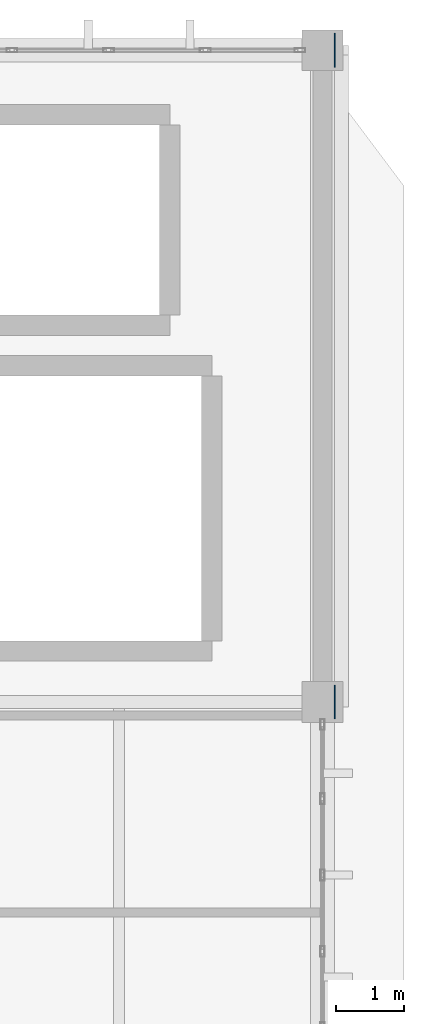
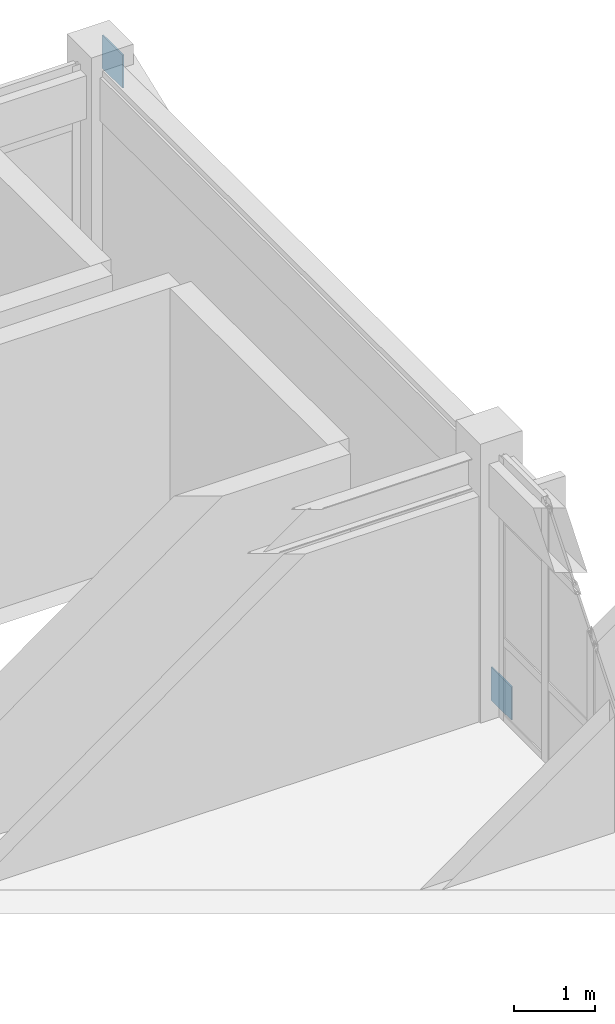
# One storey, part 25 of 28: 2 plates.
"""IFC4 building model written with IfcOpenShell, lengths in metres."""

from ifc_helpers import new_model, si_unit, direction, frame, origin, origin_2d, place, context, subcontext, project, spatial, rectangle, extrude, material, layer, layer_set, type_object, element, save


model = new_model("IFC4")

# Units and contexts
model_context = context("Model", 3, precision=1e-05, world=origin(), true_north=direction((0.0, 1.0)))
body_context = subcontext(model_context, "Body", "Model", "MODEL_VIEW")
ifc_project = project(units=[si_unit("LENGTHUNIT", "METRE"), si_unit("AREAUNIT", "SQUARE_METRE"), si_unit("VOLUMEUNIT", "CUBIC_METRE"), si_unit("PLANEANGLEUNIT", "RADIAN"), si_unit("MASSUNIT", "GRAM", prefix="KILO")], contexts=[model_context])

# Site, building, storey
site_placement = place(None, origin())
site = spatial("IfcSite", under=ifc_project, at=site_placement, CompositionType="ELEMENT")
building_placement = place(site_placement, origin())
building = spatial("IfcBuilding", under=site, at=building_placement, Name="Pandanus Reach Market Hall", CompositionType="ELEMENT")
storey_placement = place(building_placement, frame((0.0, 0.0, 18.60009765625)))
storey = spatial("IfcBuildingStorey", under=building, at=storey_placement, Name="L04", CompositionType="ELEMENT", Elevation=18.60009765625)

# Plates
ifc_material = material(Name="Steel Grade 350 (350 MPa)", Category="steel")
ifc_layer = layer(ifc_material, 0.02001953125, Name="GS-PL20")
ifc_layer_set = layer_set([ifc_layer], Name="Steel Grade 350 (350 MPa)")
plate_type = type_object("IfcPlateType", Name="GS-PL20", PredefinedType="SHEET", material=ifc_layer_set)
for number, where, z_axis, x_axis, name in (
    (1, (180.179931640625, 67.199951171875, -0.150146484375), (0.0, 0.0, 1.0), (1.0, 0.0, 0.0), "Diagrid rib end anchorage plate GS-PL20 11A"),
    (2, (180.179931640625, 76.800048828125, 3.5498046875), (0.0, 0.0, 1.0), (1.0, 0.0, 0.0), "Diagrid rib end anchorage plate GS-PL20 11B"),
):
    element("IfcPlate", number, at=place(storey_placement, frame(where, z_axis=z_axis, x_axis=x_axis)), inside=storey, type_object=plate_type, Name=name, PredefinedType="SHEET", context=body_context, shape_type="SweptSolid", body=[
        extrude(rectangle(XDim=0.02001953125, YDim=0.5, at=origin_2d()), origin(), (0.0, 0.0, 1.0), 0.5),
    ])

save(model, "model.ifc")
